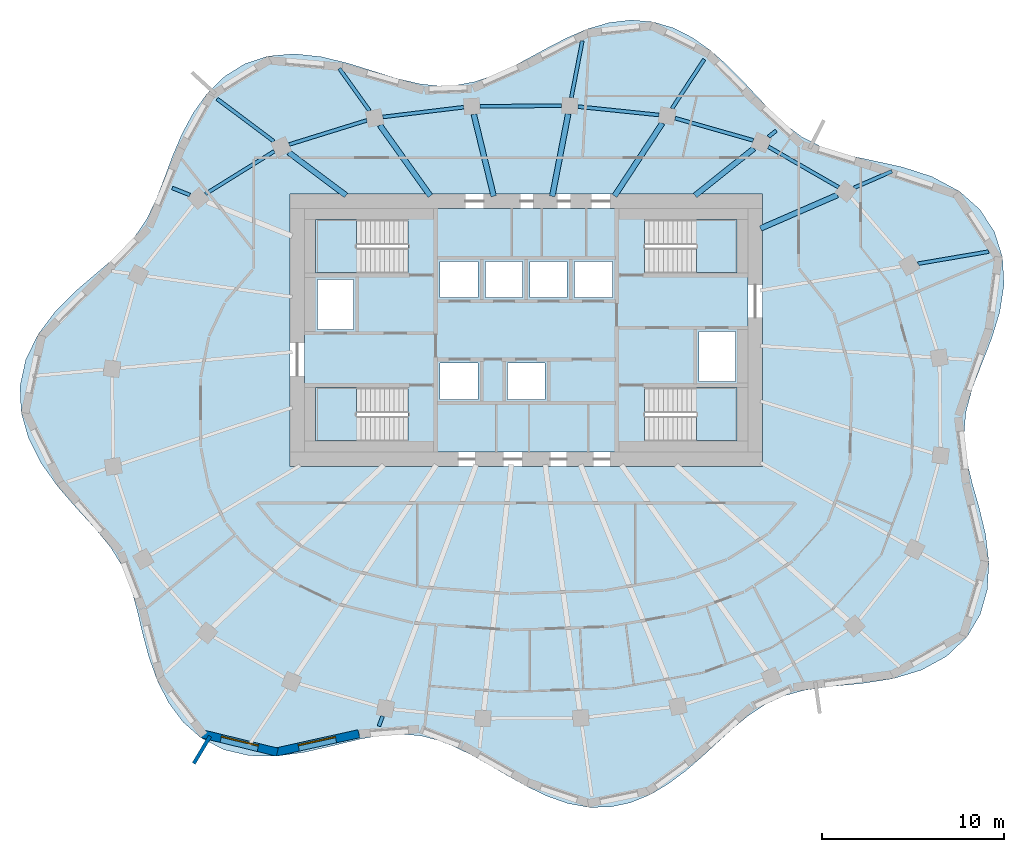
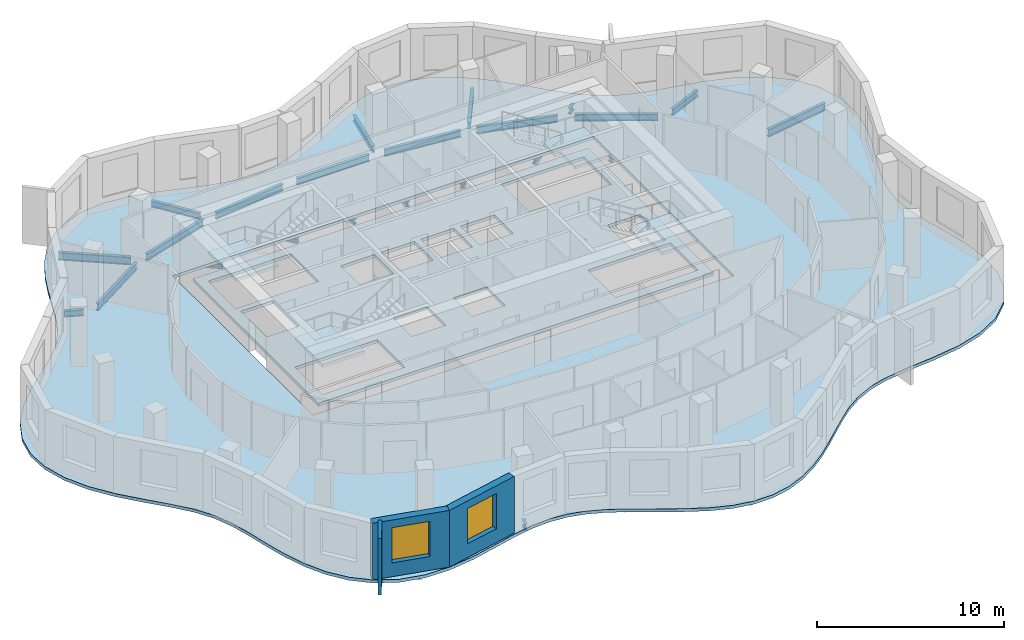
# One storey, part 2 of 9: 23 beams, 6 slabs, 3 walls, 2 windows, 2 openings, 4 elements without a shape of their own.
"""IFC4 building model written with IfcOpenShell, lengths in metres."""

from ifc_helpers import new_model, si_unit, direction, frame, frame_2d, origin, origin_2d, place, context, subcontext, project, spatial, polyline, rectangle, i_section, outline, extrude, material, layer, layer_set, material_profile, profile_set, type_object, element, fill, aggregate, save


model = new_model("IFC4")

# Units and contexts
model_context = context("Model", 3, precision=1e-05, world=origin(), true_north=direction((0.0, 1.0)))
body_context = subcontext(model_context, "Body", "Model", "MODEL_VIEW")
ifc_project = project(units=[si_unit("LENGTHUNIT", "METRE"), si_unit("AREAUNIT", "SQUARE_METRE"), si_unit("VOLUMEUNIT", "CUBIC_METRE"), si_unit("PLANEANGLEUNIT", "RADIAN"), si_unit("MASSUNIT", "GRAM", prefix="KILO")], contexts=[model_context])

# Site, building, storey
site_placement = place(None, origin())
site = spatial("IfcSite", under=ifc_project, at=site_placement, CompositionType="ELEMENT")
building_placement = place(site_placement, origin())
building = spatial("IfcBuilding", under=site, at=building_placement, Name="Rubra Terraces Tower", CompositionType="ELEMENT")
storey_placement = place(building_placement, frame((0.0, 0.0, 288.300048828125)))
storey = spatial("IfcBuildingStorey", under=building, at=storey_placement, Name="L71", CompositionType="ELEMENT", Elevation=288.300048828125)

# Beams
ifc_material_1 = material(Name="Steel Q355B", Category="steel")
ifc_material_profile_1 = material_profile(ifc_material_1, i_section(OverallWidth=0.199951171875, OverallDepth=0.39990234375, WebThickness=0.008056640625, FlangeThickness=0.012939453125, at=origin_2d()), Name="HN 400x200x8x13")
ifc_profile_set_1 = profile_set([ifc_material_profile_1], Name="Steel Q355B")
beam_type_1 = type_object("IfcBeamType", Name="CANTILEVER BEAM HN 400x200x8x13", PredefinedType="BEAM", material=ifc_profile_set_1)
beam_1_placement = place(storey_placement, frame((18.047119140625, 12.35205078125, -0.400146484375), z_axis=(0.916811265087, 0.399320803628, 0.0), x_axis=(-0.399320803628, 0.916811265087, 0.0)))
element("IfcBeam", 1, at=beam_1_placement, inside=storey, type_object=beam_type_1, Name="beam-L71-cant-03", PredefinedType="BEAM", context=body_context, shape_type="SweptSolid", body=[
    extrude(i_section(OverallWidth=0.199951171875, OverallDepth=0.39990234375, WebThickness=0.008056640625, FlangeThickness=0.012939453125, at=origin_2d()), origin(), (0.0, 0.0, 1.0), 2.266357421875),
])
beam_2_placement = place(storey_placement, frame((2.47802734375, 17.30810546875, -0.400146484375), z_axis=(0.189955060077, 0.981792786259, 0.0), x_axis=(-0.981792786259, 0.189955060077, 0.0)))
element("IfcBeam", 2, at=beam_2_placement, inside=storey, type_object=beam_type_1, Name="beam-L71-cant-06", PredefinedType="BEAM", context=body_context, shape_type="SweptSolid", body=[
    extrude(i_section(OverallWidth=0.199951171875, OverallDepth=0.39990234375, WebThickness=0.008056640625, FlangeThickness=0.012939453125, at=origin_2d()), origin(), (0.0, 0.0, 1.0), 3.1796875),
])
beam_3_placement = place(storey_placement, frame((-8.632080078125, 16.591064453125, -0.400146484375), z_axis=(-0.580898696932, 0.81397586199, 0.0), x_axis=(-0.81397586199, -0.580898696932, 0.0)))
element("IfcBeam", 3, at=beam_3_placement, inside=storey, type_object=beam_type_1, Name="beam-L71-cant-08", PredefinedType="BEAM", context=body_context, shape_type="SweptSolid", body=[
    extrude(i_section(OverallWidth=0.199951171875, OverallDepth=0.39990234375, WebThickness=0.008056640625, FlangeThickness=0.012939453125, at=origin_2d()), origin(), (0.0, 0.0, 1.0), 2.857421875),
])
ifc_material_profile_2 = material_profile(ifc_material_1, i_section(OverallWidth=0.198974609375, OverallDepth=0.446044921875, WebThickness=0.008056640625, FlangeThickness=0.011962890625, at=origin_2d()), Name="HN 446x199x8x12")
ifc_profile_set_2 = profile_set([ifc_material_profile_2], Name="Steel Q355B")
beam_type_2 = type_object("IfcBeamType", Name="CANTILEVER BEAM HN 446x199x8x12", PredefinedType="BEAM", material=ifc_profile_set_2)
beam_4_placement = place(storey_placement, frame((8.01806640625, 16.714111328125, -0.423095703125), z_axis=(0.548902148332, 0.835886614055, 0.0), x_axis=(-0.835886614055, 0.548902148332, 0.0)))
element("IfcBeam", 4, at=beam_4_placement, inside=storey, type_object=beam_type_2, Name="beam-L71-cant-05", PredefinedType="BEAM", context=body_context, shape_type="SweptSolid", body=[
    extrude(i_section(OverallWidth=0.198974609375, OverallDepth=0.446044921875, WebThickness=0.008056640625, FlangeThickness=0.011962890625, at=origin_2d()), origin(), (0.0, 0.0, 1.0), 3.233642578125),
])
ifc_material_profile_3 = material_profile(ifc_material_1, i_section(OverallWidth=0.198974609375, OverallDepth=0.49609375, WebThickness=0.009033203125, FlangeThickness=0.013916015625, at=origin_2d()), Name="HN 496x199x9x14")
ifc_profile_set_3 = profile_set([ifc_material_profile_3], Name="Steel Q355B")
beam_type_3 = type_object("IfcBeamType", Name="CANTILEVER BEAM HN 496x199x9x14", PredefinedType="BEAM", material=ifc_profile_set_3)
beam_5_placement = place(storey_placement, frame((21.552001953125, 8.169921875, -0.447998046875), z_axis=(0.985809855884, 0.167865803673, 0.0), x_axis=(-0.167865803673, 0.985809855884, 0.0)))
element("IfcBeam", 5, at=beam_5_placement, inside=storey, type_object=beam_type_3, Name="beam-L71-cant-02", PredefinedType="BEAM", context=body_context, shape_type="SweptSolid", body=[
    extrude(i_section(OverallWidth=0.198974609375, OverallDepth=0.49609375, WebThickness=0.009033203125, FlangeThickness=0.013916015625, at=origin_2d()), origin(), (0.0, 0.0, 1.0), 3.9501953125),
])
beam_6_placement = place(storey_placement, frame((-13.89794921875, 14.903076171875, -0.447998046875), z_axis=(-0.800479582074, 0.599360024261, 0.0), x_axis=(-0.599360024261, -0.800479582074, 0.0)))
element("IfcBeam", 6, at=beam_6_placement, inside=storey, type_object=beam_type_3, Name="beam-L71-cant-09", PredefinedType="BEAM", context=body_context, shape_type="SweptSolid", body=[
    extrude(i_section(OverallWidth=0.198974609375, OverallDepth=0.49609375, WebThickness=0.009033203125, FlangeThickness=0.013916015625, at=origin_2d()), origin(), (0.0, 0.0, 1.0), 3.907470703125),
])
ifc_material_profile_4 = material_profile(ifc_material_1, i_section(OverallWidth=0.199951171875, OverallDepth=0.39990234375, WebThickness=0.008056640625, FlangeThickness=0.012939453125, at=origin_2d()), Name="HN 400x200x8x13")
ifc_profile_set_4 = profile_set([ifc_material_profile_4], Name="Steel Q355B")
beam_type_4 = type_object("IfcBeamType", Name="CANTILEVER STUB HN 400x200x8x13", PredefinedType="BEAM", material=ifc_profile_set_4)
beam_7_placement = place(storey_placement, frame((13.326904296875, 15.152099609375, -0.400146484375), z_axis=(0.780868809443, 0.624695047554, 0.0), x_axis=(-0.624695047554, 0.780868809443, 0.0)))
element("IfcBeam", 7, at=beam_7_placement, inside=storey, type_object=beam_type_4, Name="beam-L71-cant-04", PredefinedType="BEAM", context=body_context, shape_type="SweptSolid", body=[
    extrude(i_section(OverallWidth=0.199951171875, OverallDepth=0.39990234375, WebThickness=0.008056640625, FlangeThickness=0.012939453125, at=origin_2d()), origin(), (0.0, 0.0, 1.0), 0.545654296875),
])
beam_8_placement = place(storey_placement, frame((-18.51708984375, 11.949951171875, -0.400146484375), z_axis=(-0.927380211418, 0.374120225958, 0.0), x_axis=(-0.374120225958, -0.927380211418, 0.0)))
element("IfcBeam", 8, at=beam_8_placement, inside=storey, type_object=beam_type_4, Name="beam-L71-cant-10", PredefinedType="BEAM", context=body_context, shape_type="SweptSolid", body=[
    extrude(i_section(OverallWidth=0.199951171875, OverallDepth=0.39990234375, WebThickness=0.008056640625, FlangeThickness=0.012939453125, at=origin_2d()), origin(), (0.0, 0.0, 1.0), 1.048095703125),
])
beam_9_placement = place(storey_placement, frame((-7.909912109375, -16.735107421875, -0.400146484375), z_axis=(-0.35039538298, -0.936601876779, 0.0), x_axis=(0.936601876779, -0.35039538298, 0.0)))
element("IfcBeam", 9, at=beam_9_placement, inside=storey, type_object=beam_type_4, Name="beam-L71-cant-17", PredefinedType="BEAM", context=body_context, shape_type="SweptSolid", body=[
    extrude(i_section(OverallWidth=0.199951171875, OverallDepth=0.39990234375, WebThickness=0.008056640625, FlangeThickness=0.012939453125, at=origin_2d()), origin(), (0.0, 0.0, 1.0), 0.588134765625),
])
ifc_material_profile_5 = material_profile(ifc_material_1, i_section(OverallWidth=0.304931640625, OverallDepth=0.300048828125, WebThickness=0.014892578125, FlangeThickness=0.014892578125, at=origin_2d()), Name="HW 300x305x15x15")
ifc_profile_set_5 = profile_set([ifc_material_profile_5], Name="Steel Q355B")
beam_type_5 = type_object("IfcBeamType", Name="FLOOR BEAM HW 300x305x15x15", PredefinedType="BEAM", material=ifc_profile_set_5)
beam_10_placement = place(storey_placement, frame((17.12109375, 11.949951171875, -0.35009765625), z_axis=(-0.916958146743, -0.398983404569, 0.0), x_axis=(0.398983404569, -0.916958146743, 0.0)))
element("IfcBeam", 10, at=beam_10_placement, inside=storey, type_object=beam_type_5, Name="beam-L71-floor-03", PredefinedType="BEAM", context=body_context, shape_type="SweptSolid", body=[
    extrude(i_section(OverallWidth=0.304931640625, OverallDepth=0.300048828125, WebThickness=0.014892578125, FlangeThickness=0.014892578125, at=origin_2d()), origin(), (0.0, 0.0, 1.0), 4.614501953125),
])
beam_11_placement = place(storey_placement, frame((12.527099609375, 14.511962890625, -0.35009765625), z_axis=(-0.781190597938, -0.624292599423, 0.0), x_axis=(0.624292599423, -0.781190597938, 0.0)))
element("IfcBeam", 11, at=beam_11_placement, inside=storey, type_object=beam_type_5, Name="beam-L71-floor-04", PredefinedType="BEAM", context=body_context, shape_type="SweptSolid", body=[
    extrude(i_section(OverallWidth=0.304931640625, OverallDepth=0.300048828125, WebThickness=0.014892578125, FlangeThickness=0.014892578125, at=origin_2d()), origin(), (0.0, 0.0, 1.0), 4.143798828125),
])
beam_12_placement = place(storey_placement, frame((7.48388671875, 15.89990234375, -0.35009765625), z_axis=(-0.548799087814, -0.835954281773, 0.0), x_axis=(0.835954281773, -0.548799087814, 0.0)))
element("IfcBeam", 12, at=beam_12_placement, inside=storey, type_object=beam_type_5, Name="beam-L71-floor-05", PredefinedType="BEAM", context=body_context, shape_type="SweptSolid", body=[
    extrude(i_section(OverallWidth=0.304931640625, OverallDepth=0.300048828125, WebThickness=0.014892578125, FlangeThickness=0.014892578125, at=origin_2d()), origin(), (0.0, 0.0, 1.0), 4.784912109375),
])
beam_13_placement = place(storey_placement, frame((2.305908203125, 16.416015625, -0.35009765625), z_axis=(-0.190104093884, -0.981763939798, 0.0), x_axis=(0.981763939798, -0.190104093884, 0.0)))
element("IfcBeam", 13, at=beam_13_placement, inside=storey, type_object=beam_type_5, Name="beam-L71-floor-06", PredefinedType="BEAM", context=body_context, shape_type="SweptSolid", body=[
    extrude(i_section(OverallWidth=0.304931640625, OverallDepth=0.300048828125, WebThickness=0.014892578125, FlangeThickness=0.014892578125, at=origin_2d()), origin(), (0.0, 0.0, 1.0), 4.6181640625),
])
beam_14_placement = place(storey_placement, frame((-2.89111328125, 16.39208984375, -0.35009765625), z_axis=(0.236229407797, -0.971697312383, 0.0), x_axis=(0.971697312383, 0.236229407797, 0.0)))
element("IfcBeam", 14, at=beam_14_placement, inside=storey, type_object=beam_type_5, Name="beam-L71-floor-07", PredefinedType="BEAM", context=body_context, shape_type="SweptSolid", body=[
    extrude(i_section(OverallWidth=0.304931640625, OverallDepth=0.300048828125, WebThickness=0.014892578125, FlangeThickness=0.014892578125, at=origin_2d()), origin(), (0.0, 0.0, 1.0), 4.640380859375),
])
beam_15_placement = place(storey_placement, frame((-8.06201171875, 15.79296875, -0.35009765625), z_axis=(0.580948286594, -0.813940469754, 0.0), x_axis=(0.813940469754, 0.580948286594, 0.0)))
element("IfcBeam", 15, at=beam_15_placement, inside=storey, type_object=beam_type_5, Name="beam-L71-floor-08", PredefinedType="BEAM", context=body_context, shape_type="SweptSolid", body=[
    extrude(i_section(OverallWidth=0.304931640625, OverallDepth=0.300048828125, WebThickness=0.014892578125, FlangeThickness=0.014892578125, at=origin_2d()), origin(), (0.0, 0.0, 1.0), 4.7802734375),
])
beam_16_placement = place(storey_placement, frame((-13.075927734375, 14.2890625, -0.35009765625), z_axis=(0.800431185592, -0.599424655092, 0.0), x_axis=(0.599424655092, 0.800431185592, 0.0)))
element("IfcBeam", 16, at=beam_16_placement, inside=storey, type_object=beam_type_5, Name="beam-L71-floor-09", PredefinedType="BEAM", context=body_context, shape_type="SweptSolid", body=[
    extrude(i_section(OverallWidth=0.304931640625, OverallDepth=0.300048828125, WebThickness=0.014892578125, FlangeThickness=0.014892578125, at=origin_2d()), origin(), (0.0, 0.0, 1.0), 3.93896484375),
])
ifc_material_profile_6 = material_profile(ifc_material_1, i_section(OverallWidth=0.198974609375, OverallDepth=0.446044921875, WebThickness=0.008056640625, FlangeThickness=0.011962890625, at=origin_2d()), Name="HN 446x199x8x12")
ifc_profile_set_6 = profile_set([ifc_material_profile_6], Name="Steel Q355B")
beam_type_6 = type_object("IfcBeamType", Name="SPANDREL BEAM HN 446x199x8x12", PredefinedType="SPANDREL", material=ifc_profile_set_6)
beam_17_placement = place(storey_placement, frame((17.18798828125, 12.37890625, -0.423095703125), z_axis=(-0.866616005945, 0.498975648945, 0.0), x_axis=(-0.498975648945, -0.866616005945, 0.0)))
element("IfcBeam", 17, at=beam_17_placement, inside=storey, type_object=beam_type_6, Name="beam-L71-spandrel-03", PredefinedType="SPANDREL", context=body_context, shape_type="SweptSolid", body=[
    extrude(i_section(OverallWidth=0.198974609375, OverallDepth=0.446044921875, WebThickness=0.008056640625, FlangeThickness=0.011962890625, at=origin_2d()), origin(), (0.0, 0.0, 1.0), 4.463134765625),
])
beam_18_placement = place(storey_placement, frame((12.490966796875, 14.9560546875, -0.423095703125), z_axis=(-0.961713024643, 0.27405849418, 0.0), x_axis=(-0.27405849418, -0.961713024643, 0.0)))
element("IfcBeam", 18, at=beam_18_placement, inside=storey, type_object=beam_type_6, Name="beam-L71-spandrel-04", PredefinedType="SPANDREL", context=body_context, shape_type="SweptSolid", body=[
    extrude(i_section(OverallWidth=0.198974609375, OverallDepth=0.446044921875, WebThickness=0.008056640625, FlangeThickness=0.011962890625, at=origin_2d()), origin(), (0.0, 0.0, 1.0), 4.477294921875),
])
beam_19_placement = place(storey_placement, frame((7.302001953125, 16.35400390625, -0.423095703125), z_axis=(-0.994684107425, 0.102973425873, 0.0), x_axis=(-0.102973425873, -0.994684107425, 0.0)))
element("IfcBeam", 19, at=beam_19_placement, inside=storey, type_object=beam_type_6, Name="beam-L71-spandrel-05", PredefinedType="SPANDREL", context=body_context, shape_type="SweptSolid", body=[
    extrude(i_section(OverallWidth=0.198974609375, OverallDepth=0.446044921875, WebThickness=0.008056640625, FlangeThickness=0.011962890625, at=origin_2d()), origin(), (0.0, 0.0, 1.0), 4.48583984375),
])
beam_20_placement = place(storey_placement, frame((1.94091796875, 16.860107421875, -0.423095703125), z_axis=(-0.999987753188, -0.004949088244, 0.0), x_axis=(0.004949088244, -0.999987753188, 0.0)))
element("IfcBeam", 20, at=beam_20_placement, inside=storey, type_object=beam_type_6, Name="beam-L71-spandrel-06", PredefinedType="SPANDREL", context=body_context, shape_type="SweptSolid", body=[
    extrude(i_section(OverallWidth=0.198974609375, OverallDepth=0.446044921875, WebThickness=0.008056640625, FlangeThickness=0.011962890625, at=origin_2d()), origin(), (0.0, 0.0, 1.0), 4.489013671875),
])
beam_21_placement = place(storey_placement, frame((-3.447021484375, 16.781982421875, -0.423095703125), z_axis=(-0.992829862118, -0.119536040116, 0.0), x_axis=(0.119536040116, -0.992829862118, 0.0)))
element("IfcBeam", 21, at=beam_21_placement, inside=storey, type_object=beam_type_6, Name="beam-L71-spandrel-07", PredefinedType="SPANDREL", context=body_context, shape_type="SweptSolid", body=[
    extrude(i_section(OverallWidth=0.198974609375, OverallDepth=0.446044921875, WebThickness=0.008056640625, FlangeThickness=0.011962890625, at=origin_2d()), origin(), (0.0, 0.0, 1.0), 4.483154296875),
])
beam_22_placement = place(storey_placement, frame((-8.779052734375, 16.05810546875, -0.423095703125), z_axis=(-0.955035382264, -0.296491852541, 0.0), x_axis=(0.296491852541, -0.955035382264, 0.0)))
element("IfcBeam", 22, at=beam_22_placement, inside=storey, type_object=beam_type_6, Name="beam-L71-spandrel-08", PredefinedType="SPANDREL", context=body_context, shape_type="SweptSolid", body=[
    extrude(i_section(OverallWidth=0.198974609375, OverallDepth=0.446044921875, WebThickness=0.008056640625, FlangeThickness=0.011962890625, at=origin_2d()), origin(), (0.0, 0.0, 1.0), 4.47607421875),
])
beam_23_placement = place(storey_placement, frame((-13.8720703125, 14.35693359375, -0.423095703125), z_axis=(-0.849641857012, -0.527360137679, 0.0), x_axis=(0.527360137679, -0.849641857012, 0.0)))
element("IfcBeam", 23, at=beam_23_placement, inside=storey, type_object=beam_type_6, Name="beam-L71-spandrel-09", PredefinedType="SPANDREL", context=body_context, shape_type="SweptSolid", body=[
    extrude(i_section(OverallWidth=0.198974609375, OverallDepth=0.446044921875, WebThickness=0.008056640625, FlangeThickness=0.011962890625, at=origin_2d()), origin(), (0.0, 0.0, 1.0), 4.4619140625),
])

# Slab
ifc_material_2 = material(Name="Concrete C40", Category="concrete")
ifc_layer_1 = layer(ifc_material_2, 0.199951171875)
ifc_layer_set_1 = layer_set([ifc_layer_1], Name="Concrete C40")
slab_type_1 = type_object("IfcSlabType", Name="Core floor slab 200 concrete", PredefinedType="FLOOR", material=ifc_layer_set_1)
slab_1_placement = place(storey_placement, frame((0.0, 0.0, -0.199951171875)))
element("IfcSlab", 24, at=slab_1_placement, inside=storey, type_object=slab_type_1, Name="CORE FLOOR SLAB L71", PredefinedType="FLOOR", context=body_context, shape_type="SweptSolid", body=[
    extrude(outline(polyline([(-12.199951171875, -2.199951171875), (-12.199951171875, 11.199951171875), (12.199951171875, 11.199951171875), (12.199951171875, -2.199951171875), (-12.199951171875, -2.199951171875)]), holes=[polyline([(11.597900390625, 1.347900390625), (6.501953125, 1.347900390625), (6.501953125, -1.597900390625), (11.597900390625, -1.597900390625), (11.597900390625, 1.347900390625)]), polyline([(11.597900390625, 7.652099609375), (11.597900390625, 10.597900390625), (6.501953125, 10.597900390625), (6.501953125, 7.652099609375), (11.597900390625, 7.652099609375)]), polyline([(9.5, 1.699951171875), (11.5, 1.699951171875), (11.5, 4.449951171875), (9.5, 4.449951171875), (9.5, 1.699951171875)]), polyline([(4.75, 6.300048828125), (4.75, 8.300048828125), (2.64990234375, 8.300048828125), (2.64990234375, 6.300048828125), (4.75, 6.300048828125)]), polyline([(2.25, 8.300048828125), (0.199951171875, 8.300048828125), (0.199951171875, 6.300048828125), (2.25, 6.300048828125), (2.25, 8.300048828125)]), polyline([(1.02490234375, 0.699951171875), (1.02490234375, 2.699951171875), (-1.02490234375, 2.699951171875), (-1.02490234375, 0.699951171875), (1.02490234375, 0.699951171875)]), polyline([(-0.199951171875, 6.300048828125), (-0.199951171875, 8.300048828125), (-2.25, 8.300048828125), (-2.25, 6.300048828125), (-0.199951171875, 6.300048828125)]), polyline([(-4.75, 8.300048828125), (-4.75, 6.300048828125), (-2.64990234375, 6.300048828125), (-2.64990234375, 8.300048828125), (-4.75, 8.300048828125)]), polyline([(-2.64990234375, 0.699951171875), (-2.64990234375, 2.699951171875), (-4.75, 2.699951171875), (-4.75, 0.699951171875), (-2.64990234375, 0.699951171875)]), polyline([(-11.597900390625, -1.597900390625), (-6.501953125, -1.597900390625), (-6.501953125, 1.347900390625), (-11.597900390625, 1.347900390625), (-11.597900390625, -1.597900390625)]), polyline([(-11.597900390625, 10.597900390625), (-11.597900390625, 7.652099609375), (-6.501953125, 7.652099609375), (-6.501953125, 10.597900390625), (-11.597900390625, 10.597900390625)]), polyline([(-9.5, 4.550048828125), (-9.5, 7.300048828125), (-11.5, 7.300048828125), (-11.5, 4.550048828125), (-9.5, 4.550048828125)])]), origin(), (0.0, 0.0, 1.0), 0.199951171875),
])

# Stair, slab
stair_type = type_object("IfcStairType", Name="Core stair 1400", PredefinedType="HALF_TURN_STAIR", material=ifc_material_2)
stair_1_placement = place(storey_placement, origin())
stair_1 = element("IfcStair", 25, at=stair_1_placement, inside=storey, type_object=stair_type, Name="L71 Exit stair S1", PredefinedType="HALF_TURN_STAIR")
ifc_layer_2 = layer(ifc_material_2, 0.199951171875)
ifc_layer_set_2 = layer_set([ifc_layer_2], Name="Concrete C40")
slab_type_2 = type_object("IfcSlabType", Name="Core stair landing 200", PredefinedType="LANDING", material=ifc_layer_set_2)
slab_2_placement = place(storey_placement, frame((0.0, 0.0, 1.75)))
slab_2 = element("IfcSlab", 26, at=slab_2_placement, type_object=slab_type_2, Name="S1 landing 1", PredefinedType="LANDING", context=body_context, shape_type="SweptSolid", body=[
    extrude(outline(polyline([(-8.97998046875, -0.199951171875), (-8.97998046875, -1.60009765625), (-9.360107421875, -1.60009765625), (-9.3798828125, -1.60009765625), (-11.60009765625, -1.60009765625), (-11.60009765625, 1.35009765625), (-9.3798828125, 1.35009765625), (-9.35791015625, 1.35009765625), (-9.35791015625, -0.050048828125), (-9.360107421875, -0.050048828125), (-9.360107421875, -0.199951171875), (-8.97998046875, -0.199951171875)])), origin(), (0.0, 0.0, 1.0), 0.199951171875),
])
aggregate(stair_1, [slab_2])

stair_2_placement = place(storey_placement, origin())
stair_2 = element("IfcStair", 27, at=stair_2_placement, inside=storey, type_object=stair_type, Name="L71 Exit stair S2", PredefinedType="HALF_TURN_STAIR")
slab_3_placement = place(storey_placement, frame((0.0, 0.0, 1.75)))
slab_3 = element("IfcSlab", 28, at=slab_3_placement, type_object=slab_type_2, Name="S2 landing 1", PredefinedType="LANDING", context=body_context, shape_type="SweptSolid", body=[
    extrude(outline(polyline([(-8.97998046875, 9.050048828125), (-8.97998046875, 7.64990234375), (-9.3798828125, 7.64990234375), (-11.60009765625, 7.64990234375), (-11.60009765625, 10.60009765625), (-9.3798828125, 10.60009765625), (-9.360107421875, 10.60009765625), (-9.35791015625, 10.60009765625), (-9.35791015625, 9.199951171875), (-9.360107421875, 9.199951171875), (-9.360107421875, 9.050048828125), (-8.97998046875, 9.050048828125)])), origin(), (0.0, 0.0, 1.0), 0.199951171875),
])
aggregate(stair_2, [slab_3])

stair_3_placement = place(storey_placement, origin())
stair_3 = element("IfcStair", 29, at=stair_3_placement, inside=storey, type_object=stair_type, Name="L71 Exit stair S3", PredefinedType="HALF_TURN_STAIR")
slab_4_placement = place(storey_placement, frame((0.0, 0.0, 1.75)))
slab_4 = element("IfcSlab", 30, at=slab_4_placement, type_object=slab_type_2, Name="S3 landing 1", PredefinedType="LANDING", context=body_context, shape_type="SweptSolid", body=[
    extrude(outline(polyline([(9.360107421875, 9.050048828125), (9.360107421875, 9.199951171875), (8.97998046875, 9.199951171875), (8.97998046875, 10.60009765625), (9.360107421875, 10.60009765625), (9.3798828125, 10.60009765625), (11.60009765625, 10.60009765625), (11.60009765625, 7.64990234375), (9.3798828125, 7.64990234375), (9.35791015625, 7.64990234375), (9.35791015625, 9.050048828125), (9.360107421875, 9.050048828125)])), origin(), (0.0, 0.0, 1.0), 0.199951171875),
])
aggregate(stair_3, [slab_4])

stair_4_placement = place(storey_placement, origin())
stair_4 = element("IfcStair", 31, at=stair_4_placement, inside=storey, type_object=stair_type, Name="L71 Exit stair S4", PredefinedType="HALF_TURN_STAIR")
slab_5_placement = place(storey_placement, frame((0.0, 0.0, 1.75)))
slab_5 = element("IfcSlab", 32, at=slab_5_placement, type_object=slab_type_2, Name="S4 landing 1", PredefinedType="LANDING", context=body_context, shape_type="SweptSolid", body=[
    extrude(outline(polyline([(9.360107421875, -0.199951171875), (9.360107421875, -0.050048828125), (8.97998046875, -0.050048828125), (8.97998046875, 1.35009765625), (9.360107421875, 1.35009765625), (9.3798828125, 1.35009765625), (11.60009765625, 1.35009765625), (11.60009765625, -1.60009765625), (9.3798828125, -1.60009765625), (9.360107421875, -1.60009765625), (9.35791015625, -1.60009765625), (9.35791015625, -0.199951171875), (9.360107421875, -0.199951171875)])), origin(), (0.0, 0.0, 1.0), 0.199951171875),
])
aggregate(stair_4, [slab_5])

# Slab
ifc_layer_3 = layer(ifc_material_2, 0.199951171875)
ifc_layer_set_3 = layer_set([ifc_layer_3], Name="Concrete C40")
slab_type_3 = type_object("IfcSlabType", Name="FLOOR SLAB 200 COMPOSITE", PredefinedType="FLOOR", material=ifc_layer_set_3)
slab_6_placement = place(storey_placement, frame((0.0, 0.0, -0.199951171875)))
element("IfcSlab", 33, at=slab_6_placement, inside=storey, type_object=slab_type_3, Name="FLOOR SLAB L71", PredefinedType="FLOOR", context=body_context, shape_type="SweptSolid", body=[
    extrude(outline(polyline([(24.0849609375, -1.2900390625), (24.193115234375, 0.0), (24.544921875, 1.305908203125), (25.05908203125, 2.64111328125), (25.614990234375, 4.056884765625), (26.06005859375, 5.510009765625), (26.291015625, 7.01806640625), (26.2109375, 8.51611328125), (25.76708984375, 9.925048828125), (24.9599609375, 11.156005859375), (23.844970703125, 12.14990234375), (22.326904296875, 12.964111328125), (20.68408203125, 13.493896484375), (19.06005859375, 13.847900390625), (17.616943359375, 14.156005859375), (16.318115234375, 14.56103515625), (15.156005859375, 15.156005859375), (14.306884765625, 15.7880859375), (13.486083984375, 16.553955078125), (12.658935546875, 17.424072265625), (11.868896484375, 18.27294921875), (11.032958984375, 19.117919921875), (10.14208984375, 19.905029296875), (9.14306640625, 20.613037109375), (8.0849609375, 21.14990234375), (6.97900390625, 21.47900390625), (5.77294921875, 21.5830078125), (4.552978515625, 21.43994140625), (3.339111328125, 21.0810546875), (2.205078125, 20.589111328125), (1.093017578125, 20.010986328125), (0.0, 19.4130859375), (-0.97509765625, 18.9140625), (-1.93408203125, 18.491943359375), (-2.87890625, 18.179931640625), (-3.867919921875, 17.991943359375), (-4.861083984375, 17.9580078125), (-5.8720703125, 18.071044921875), (-7.123046875, 18.365966796875), (-8.426025390625, 18.77001953125), (-9.780029296875, 19.194091796875), (-11.27392578125, 19.56005859375), (-12.77490234375, 19.721923828125), (-14.23388671875, 19.592041015625), (-15.471923828125, 19.18310546875), (-16.589111328125, 18.493896484375), (-17.555908203125, 17.555908203125), (-18.319091796875, 16.498046875), (-18.945068359375, 15.3349609375), (-19.4560546875, 14.135986328125), (-19.930908203125, 12.864013671875), (-20.384033203125, 11.68798828125), (-20.885009765625, 10.64111328125), (-21.60595703125, 9.577880859375), (-22.52294921875, 8.62109375), (-23.623046875, 7.676025390625), (-24.782958984375, 6.68310546875), (-25.9169921875, 5.549072265625), (-26.887939453125, 4.259033203125), (-27.554931640625, 2.8779296875), (-27.867919921875, 1.43408203125), (-27.806884765625, 0.0), (-27.407958984375, -1.41796875), (-26.7099609375, -2.801025390625), (-25.800048828125, -4.0859375), (-24.75390625, -5.2958984375), (-23.74609375, -6.39208984375), (-22.884033203125, -7.43603515625), (-22.239990234375, -8.47900390625), (-21.77294921875, -9.625), (-21.419921875, -10.9140625), (-21.1298828125, -12.15087890625), (-20.782958984375, -13.4541015625), (-20.31689453125, -14.761962890625), (-19.697021484375, -15.98193359375), (-18.89697265625, -17.056884765625), (-17.919921875, -17.919921875), (-16.65087890625, -18.5810546875), (-15.242919921875, -18.908935546875), (-13.757080078125, -18.93505859375), (-12.18310546875, -18.716064453125), (-10.64404296875, -18.361083984375), (-9.172119140625, -18.001953125), (-8.00390625, -17.7900390625), (-6.881103515625, -17.718017578125), (-5.7900390625, -17.821044921875), (-4.862060546875, -18.05810546875), (-3.931884765625, -18.422119140625), (-2.991943359375, -18.889892578125), (-2.012939453125, -19.44091796875), (-1.013916015625, -20.02294921875), (0.0, -20.5869140625), (1.131103515625, -21.134033203125), (2.281005859375, -21.5400390625), (3.445068359375, -21.751953125), (4.596923828125, -21.739990234375), (5.73291015625, -21.5), (6.837890625, -21.0439453125), (7.826904296875, -20.4541015625), (8.77099609375, -19.748046875), (9.6669921875, -18.972900390625), (10.52490234375, -18.180908203125), (11.35302734375, -17.426025390625), (12.1689453125, -16.7490234375), (13.155029296875, -16.091064453125), (14.18994140625, -15.613037109375), (15.305908203125, -15.305908203125), (16.818115234375, -15.093994140625), (18.468994140625, -14.93701171875), (20.19189453125, -14.669921875), (21.739013671875, -14.201904296875), (23.134033203125, -13.43896484375), (24.260986328125, -12.362060546875), (24.98291015625, -11.135986328125), (25.3779296875, -9.7451171875), (25.4599609375, -8.27294921875), (25.278076171875, -6.735107421875), (24.927001953125, -5.261962890625), (24.534912109375, -3.885986328125), (24.218017578125, -2.56396484375), (24.0849609375, -1.2900390625)]), holes=[polyline([(13.0, 12.0), (13.0, -3.0), (-13.0, -3.0), (-13.0, 12.0), (13.0, 12.0)])]), origin(), (0.0, 0.0, 1.0), 0.199951171875),
])

# Wall, opening, window
ifc_material_3 = material(Name="Brick masonry red-brown", Category="masonry")
ifc_layer_4 = layer(ifc_material_3, 0.449951171875)
ifc_layer_set_4 = layer_set([ifc_layer_4], Name="Brick masonry red-brown")
wall_type_1 = type_object("IfcWallType", Name="Brick facade wall 450", PredefinedType="SOLIDWALL", material=ifc_layer_set_4)
wall_1_placement = place(storey_placement, frame((-17.86669921875, -17.701416015625, 0.0), z_axis=(0.0, 0.0, 1.0), x_axis=(0.971546885012, -0.236847314156, 0.0)))
wall_1 = element("IfcWall", 34, at=wall_1_placement, inside=storey, type_object=wall_type_1, Name="Facade wall L71 bay 26", PredefinedType="SOLIDWALL", context=body_context, shape_type="SweptSolid", body=[
    extrude(rectangle(XDim=4.284912109375, YDim=0.449951171875, at=frame_2d((2.142578125, 0.0))), origin(), (0.0, 0.0, 1.0), 3.699951171875),
])
opening_1_placement = place(wall_1_placement, frame((1.092529296875, 0.0, 0.89990234375)))
opening_1 = element("IfcOpeningElement", 35, at=opening_1_placement, cuts=wall_1, Name="Opening W1B", PredefinedType="OPENING", context=body_context, shape_type="SweptSolid", body=[
    extrude(rectangle(XDim=2.10009765625, YDim=2.300048828125, at=frame_2d((1.050048828125, 1.14990234375))), frame((0.0, 0.23486328125, 0.0), z_axis=(0.0, -1.0, 0.0), x_axis=(1.0, 0.0, 0.0)), (0.0, 0.0, 1.0), 0.469970703125),
])
ifc_material_4 = material(Name="Clear glass in aluminium frame", Category="aluminium")
window_type = type_object("IfcWindowType", Name="Fixed deep-set window tall storey 2100 x 2300", PartitioningType="SINGLE_PANEL", PredefinedType="WINDOW", material=ifc_material_4)
window_1_placement = place(opening_1_placement, origin())
window_1 = element("IfcWindow", 36, at=window_1_placement, inside=storey, type_object=window_type, Name="Window L71 bay 26", OverallHeight=2.300048828125, OverallWidth=2.10009765625, PartitioningType="SINGLE_PANEL", PredefinedType="WINDOW", context=body_context, shape_type="SweptSolid", body=[
    extrude(rectangle(XDim=2.10009765625, YDim=2.300048828125, at=frame_2d((1.050048828125, 1.14990234375))), frame((0.0, 0.135009765625, 0.0), z_axis=(0.0, -1.0, 0.0), x_axis=(1.0, 0.0, 0.0)), (0.0, 0.0, 1.0), 0.06005859375),
])
fill(opening_1, window_1)

wall_2_placement = place(storey_placement, frame((-13.802001953125, -18.714599609375, 0.0), z_axis=(0.0, 0.0, 1.0), x_axis=(0.976380129166, 0.216059814331, 0.0)))
wall_2 = element("IfcWall", 37, at=wall_2_placement, inside=storey, type_object=wall_type_1, Name="Facade wall L71 bay 27", PredefinedType="SOLIDWALL", context=body_context, shape_type="SweptSolid", body=[
    extrude(rectangle(XDim=4.691650390625, YDim=0.449951171875, at=frame_2d((2.345703125, 0.0))), origin(), (0.0, 0.0, 1.0), 3.699951171875),
])
opening_2_placement = place(wall_2_placement, frame((1.295654296875, 0.0, 0.89990234375)))
opening_2 = element("IfcOpeningElement", 38, at=opening_2_placement, cuts=wall_2, Name="Opening W1B", PredefinedType="OPENING", context=body_context, shape_type="SweptSolid", body=[
    extrude(rectangle(XDim=2.10009765625, YDim=2.300048828125, at=frame_2d((1.050048828125, 1.14990234375))), frame((0.0, 0.23486328125, 0.0), z_axis=(0.0, -1.0, 0.0), x_axis=(1.0, 0.0, 0.0)), (0.0, 0.0, 1.0), 0.469970703125),
])
window_2_placement = place(opening_2_placement, origin())
window_2 = element("IfcWindow", 39, at=window_2_placement, inside=storey, type_object=window_type, Name="Window L71 bay 27", OverallHeight=2.300048828125, OverallWidth=2.10009765625, PartitioningType="SINGLE_PANEL", PredefinedType="WINDOW", context=body_context, shape_type="SweptSolid", body=[
    extrude(rectangle(XDim=2.10009765625, YDim=2.300048828125, at=frame_2d((1.050048828125, 1.14990234375))), frame((0.0, 0.135009765625, 0.0), z_axis=(0.0, -1.0, 0.0), x_axis=(1.0, 0.0, 0.0)), (0.0, 0.0, 1.0), 0.06005859375),
])
fill(opening_2, window_2)

# Wall
ifc_layer_5 = layer(ifc_material_3, 0.199951171875)
ifc_layer_set_5 = layer_set([ifc_layer_5], Name="Brick masonry red-brown")
wall_type_2 = type_object("IfcWallType", Name="Brick wind fin 200", PredefinedType="SOLIDWALL", material=ifc_layer_set_5)
wall_3_placement = place(storey_placement, frame((-17.406005859375, -17.8349609375, 0.0), z_axis=(0.0, 0.0, 1.0), x_axis=(-0.512648290506, -0.858598701514, 0.0)))
element("IfcWall", 40, at=wall_3_placement, inside=storey, type_object=wall_type_2, Name="Wind fin L71 13", PredefinedType="SOLIDWALL", context=body_context, shape_type="SweptSolid", body=[
    extrude(rectangle(XDim=1.750244140625, YDim=0.199951171875, at=frame_2d((0.875, 0.0))), origin(), (0.0, 0.0, 1.0), 3.699951171875),
])

save(model, "model.ifc")
